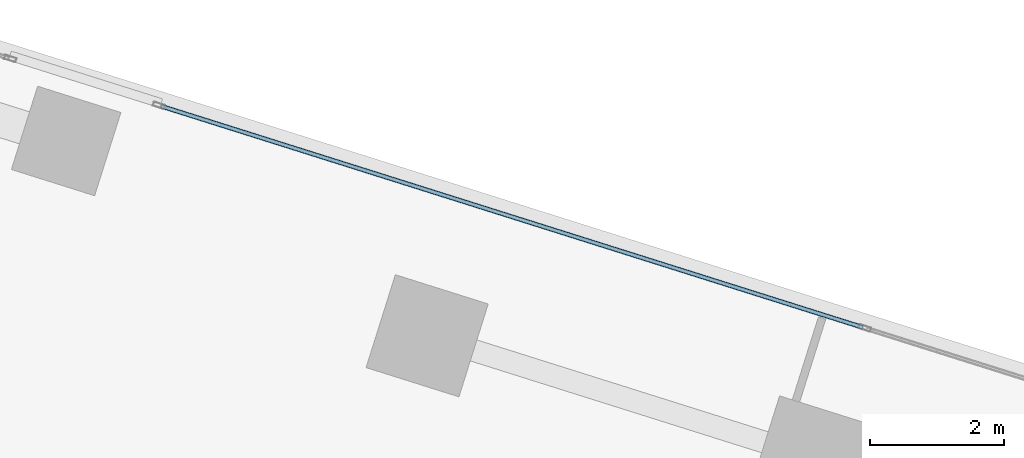
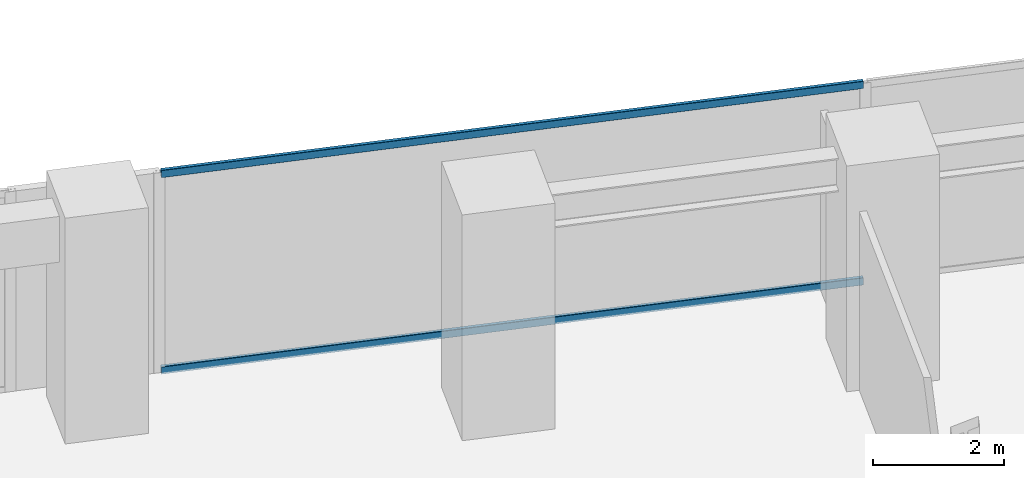
# One storey, part 18 of 28: 2 members, 1 element without a shape of its own.
"""IFC4 building model written with IfcOpenShell, lengths in metres."""

from ifc_helpers import new_model, si_unit, direction, frame, origin, origin_2d, place, context, subcontext, project, spatial, hollow_rectangle, extrude, source, transform, mapped, material, material_profile, profile_set, type_object, element, aggregate, save


model = new_model("IFC4")

# Units and contexts
model_context = context("Model", 3, precision=1e-05, world=origin(), true_north=direction((0.0, 1.0)))
body_context = subcontext(model_context, "Body", "Model", "MODEL_VIEW")
ifc_project = project(units=[si_unit("LENGTHUNIT", "METRE"), si_unit("AREAUNIT", "SQUARE_METRE"), si_unit("VOLUMEUNIT", "CUBIC_METRE"), si_unit("PLANEANGLEUNIT", "RADIAN"), si_unit("MASSUNIT", "GRAM", prefix="KILO")], contexts=[model_context])

# Site, building, storey
site_placement = place(None, origin())
site = spatial("IfcSite", under=ifc_project, at=site_placement, CompositionType="ELEMENT")
building_placement = place(site_placement, origin())
building = spatial("IfcBuilding", under=site, at=building_placement, Name="Torre Montelarca", CompositionType="ELEMENT")
storey_placement = place(building_placement, frame((0.0, 0.0, 112.60009765625)))
storey = spatial("IfcBuildingStorey", under=building, at=storey_placement, Name="L25", CompositionType="ELEMENT", Elevation=112.60009765625)

# Curtain wall, members
ifc_material_1 = material(Name="Insulated low-E laminated glass", Category="glass")
curtain_wall_type = type_object("IfcCurtainWallType", Name="CW-SYS-Z1", PredefinedType="USERDEFINED", material=ifc_material_1)
curtain_wall_placement = place(storey_placement, origin())
curtain_wall = element("IfcCurtainWall", 1, at=curtain_wall_placement, inside=storey, type_object=curtain_wall_type, Name="L25 Curtain Wall Run CW-T3-L25-E08-B1", ObjectType="UNITISED GLAZING", PredefinedType="USERDEFINED")
ifc_material_2 = material(Name="Anodised aluminium AA 6063-T6", Category="aluminium")
ifc_material_profile = material_profile(ifc_material_2, hollow_rectangle(XDim=0.06494140625, YDim=0.139892578125, WallThickness=0.00390625, InnerFilletRadius=0.00390625, OuterFilletRadius=0.008056640625, at=origin_2d()), Name="ALU65X140X4", Category="aluminium")
ifc_profile_set = profile_set([ifc_material_profile], Name="Anodised aluminium AA 6063-T6")
member_type = type_object("IfcMemberType", Name="CWT-ALU140", PredefinedType="USERDEFINED", material=ifc_profile_set)
shared_shape = source(origin(), body_context, "Body", "SweptSolid", [
    extrude(hollow_rectangle(XDim=0.06494140625, YDim=0.139892578125, WallThickness=0.00390625, InnerFilletRadius=0.00390625, OuterFilletRadius=0.008056640625, at=origin_2d()), origin(), (0.0, 0.0, 1.0), 10.954833984375),
])
member_1_placement = place(storey_placement, frame((51.74853515625, 39.3125, 0.032470703125), z_axis=(-0.953716288411, 0.300707900162, 0.0), x_axis=(-0.300707900162, -0.953716288411, 0.0)))
member_1 = element("IfcMember", 2, at=member_1_placement, type_object=member_type, Name="CW transom 2.1", ObjectType="TRANSOM", PredefinedType="USERDEFINED", context=body_context, shape_type="MappedRepresentation", body=[
    mapped(shared_shape, transform((0.0, 0.0, 0.0), scale=1.0)),
])
member_2_placement = place(storey_placement, frame((51.74853515625, 39.3125, 3.6875), z_axis=(-0.953716288411, 0.300707900162, 0.0), x_axis=(-0.300707900162, -0.953716288411, 0.0)))
member_2 = element("IfcMember", 3, at=member_2_placement, type_object=member_type, Name="CW transom 2.2", ObjectType="TRANSOM", PredefinedType="USERDEFINED", context=body_context, shape_type="MappedRepresentation", body=[
    mapped(shared_shape, transform((0.0, 0.0, 0.0), scale=1.0)),
])
aggregate(curtain_wall, [member_1, member_2])

save(model, "model.ifc")
